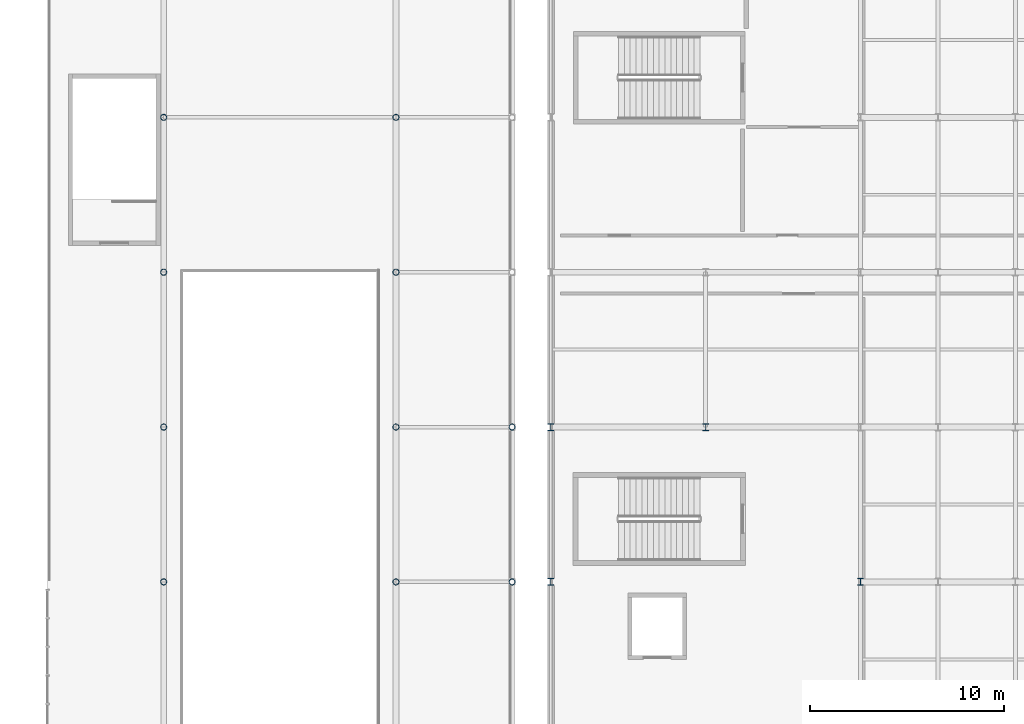
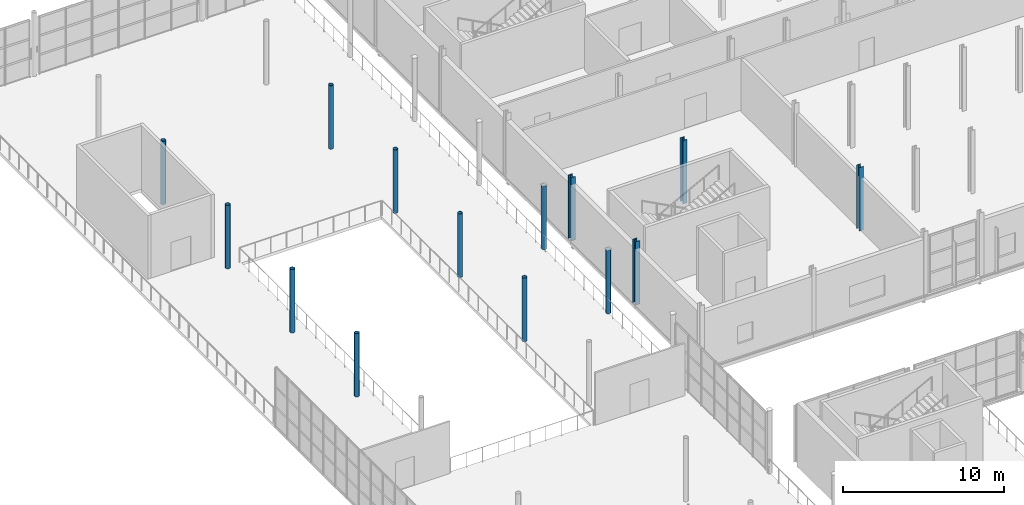
# One storey, part 11 of 143: 14 columns.
"""IFC4 building model written with IfcOpenShell, lengths in metres."""

from ifc_helpers import new_model, si_unit, derived_unit, direction, frame, origin, origin_2d, place, context, subcontext, project, spatial, hollow_circle, i_section, extrude, material, material_profile, profile_set, type_object, element, save


model = new_model("IFC4")

# Units and contexts
model_context = context("Model", 3, precision=1e-05, world=origin(), true_north=direction((0.0, 1.0)))
body_context = subcontext(model_context, "Body", "Model", "MODEL_VIEW")
ifc_project = project(units=[si_unit("LENGTHUNIT", "METRE"), si_unit("AREAUNIT", "SQUARE_METRE"), si_unit("VOLUMEUNIT", "CUBIC_METRE"), si_unit("PLANEANGLEUNIT", "RADIAN"), si_unit("MASSUNIT", "GRAM", prefix="KILO"), derived_unit("THERMALTRANSMITTANCEUNIT", [(si_unit("POWERUNIT", "WATT"), 1), (si_unit("LENGTHUNIT", "METRE"), -2), (si_unit("THERMODYNAMICTEMPERATUREUNIT", "KELVIN"), -1)])], contexts=[model_context])

# Site, building, storey
site_placement = place(None, origin())
site = spatial("IfcSite", under=ifc_project, at=site_placement, CompositionType="ELEMENT")
building_placement = place(site_placement, origin())
building = spatial("IfcBuilding", under=site, at=building_placement, Name="Keldorne Ridge Multi-Sports Centre", CompositionType="ELEMENT")
storey_placement = place(building_placement, frame((0.0, 0.0, 4.800048828125)))
storey = spatial("IfcBuildingStorey", under=building, at=storey_placement, Name="L01", CompositionType="ELEMENT", Elevation=4.800048828125)

# Columns
ifc_material = material(Name="Steel S355", Category="steel")
ifc_material_profile_1 = material_profile(ifc_material, hollow_circle(Radius=0.161865234375, WallThickness=0.01611328125, at=origin_2d()), Name="CHS 323.9x16")
ifc_profile_set_1 = profile_set([ifc_material_profile_1], Name="Steel S355")
column_type_1 = type_object("IfcColumnType", Name="COL-C-08", PredefinedType="COLUMN", material=ifc_profile_set_1)
for number, where, z_axis, x_axis, name in (
    (1, (84.0, 74.0, 0.0), (0.0, 0.0, 1.0), (1.0, 0.0, 0.0), "Structural column V4-G12-09 on L01"),
    (2, (96.0, 74.0, 0.0), (0.0, 0.0, 1.0), (1.0, 0.0, 0.0), "Structural column V4-G14-09 on L01"),
    (3, (102.0, 74.0, 0.0), (0.0, 0.0, 1.0), (1.0, 0.0, 0.0), "Structural column V4-G15-09 on L01"),
    (4, (84.0, 82.0, 0.0), (0.0, 0.0, 1.0), (1.0, 0.0, 0.0), "Structural column V4-G12-10 on L01"),
    (5, (96.0, 82.0, 0.0), (0.0, 0.0, 1.0), (1.0, 0.0, 0.0), "Structural column V4-G14-10 on L01"),
    (6, (102.0, 82.0, 0.0), (0.0, 0.0, 1.0), (1.0, 0.0, 0.0), "Structural column V4-G15-10 on L01"),
    (7, (84.0, 90.0, 0.0), (0.0, 0.0, 1.0), (1.0, 0.0, 0.0), "Structural column V4-G12-11 on L01"),
    (8, (96.0, 90.0, 0.0), (0.0, 0.0, 1.0), (1.0, 0.0, 0.0), "Structural column V4-G14-11 on L01"),
    (9, (84.0, 98.0, 0.0), (0.0, 0.0, 1.0), (1.0, 0.0, 0.0), "Structural column V4-G12-12 on L01"),
    (10, (96.0, 98.0, 0.0), (0.0, 0.0, 1.0), (1.0, 0.0, 0.0), "Structural column V4-G14-12 on L01"),
):
    element("IfcColumn", number, at=place(storey_placement, frame(where, z_axis=z_axis, x_axis=x_axis)), inside=storey, type_object=column_type_1, Name=name, PredefinedType="COLUMN", context=body_context, shape_type="SweptSolid", body=[
        extrude(hollow_circle(Radius=0.161865234375, WallThickness=0.01611328125, at=origin_2d()), origin(), (0.0, 0.0, 1.0), 4.800048828125),
    ])
ifc_material_profile_2 = material_profile(ifc_material, i_section(OverallWidth=0.300048828125, OverallDepth=0.360107421875, WebThickness=0.012451171875, FlangeThickness=0.0224609375, FilletRadius=0.027099609375, at=origin_2d()), Name="HEB 360")
ifc_profile_set_2 = profile_set([ifc_material_profile_2], Name="Steel S355")
column_type_2 = type_object("IfcColumnType", Name="COL-C-10", PredefinedType="COLUMN", material=ifc_profile_set_2)
for number, where, z_axis, x_axis, name in (
    (11, (104.0, 74.0, 0.0), (0.0, 0.0, 1.0), (1.0, 0.0, 0.0), "Structural column V5-C-01-02 on L01"),
    (12, (104.0, 82.0, 0.0), (0.0, 0.0, 1.0), (1.0, 0.0, 0.0), "Structural column V5-C-01-03 on L01"),
    (13, (112.0, 82.0, 0.0), (0.0, 0.0, 1.0), (1.0, 0.0, 0.0), "Structural column V5-C-02-03 on L01"),
    (14, (120.0, 74.0, 0.0), (0.0, 0.0, 1.0), (1.0, 0.0, 0.0), "Structural column V5-C-03-02 on L01"),
):
    element("IfcColumn", number, at=place(storey_placement, frame(where, z_axis=z_axis, x_axis=x_axis)), inside=storey, type_object=column_type_2, Name=name, PredefinedType="COLUMN", context=body_context, shape_type="SweptSolid", body=[
        extrude(i_section(OverallWidth=0.300048828125, OverallDepth=0.360107421875, WebThickness=0.012451171875, FlangeThickness=0.0224609375, FilletRadius=0.027099609375, at=origin_2d()), origin(), (0.0, 0.0, 1.0), 4.800048828125),
    ])

save(model, "model.ifc")
